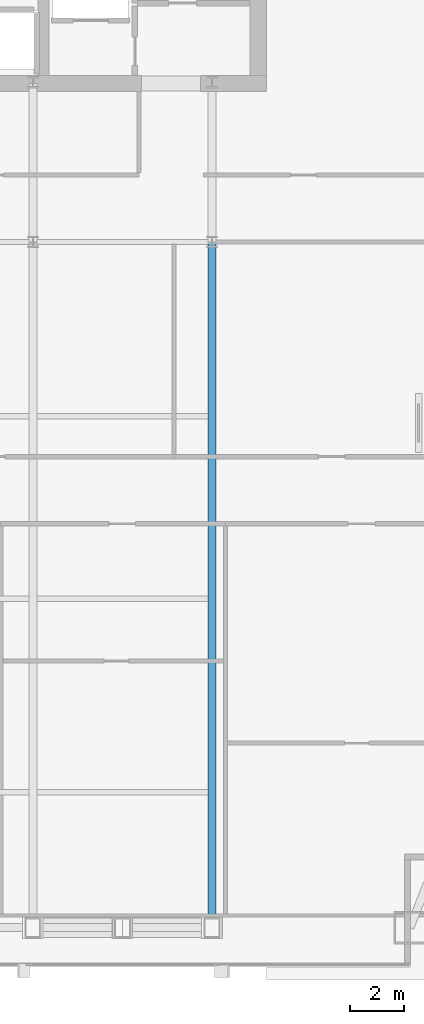
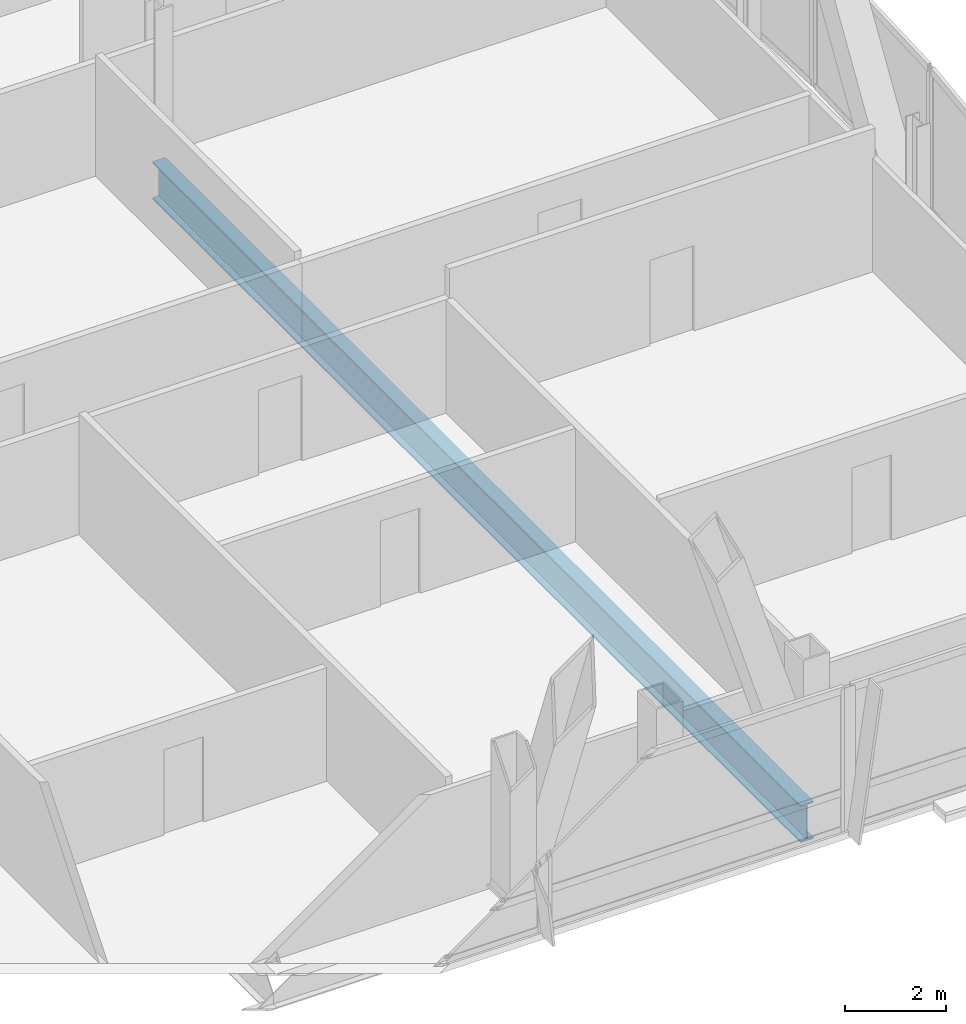
# One storey, part 15 of 32: 1 beam.
"""IFC4 building model written with IfcOpenShell, lengths in metres."""

from ifc_helpers import new_model, si_unit, direction, frame, origin, origin_2d, place, context, subcontext, project, spatial, i_section, extrude, material, material_profile, profile_set, type_object, element, save


model = new_model("IFC4")

# Units and contexts
model_context = context("Model", 3, precision=1e-05, world=origin(), true_north=direction((0.0, 1.0)))
body_context = subcontext(model_context, "Body", "Model", "MODEL_VIEW")
ifc_project = project(units=[si_unit("LENGTHUNIT", "METRE"), si_unit("AREAUNIT", "SQUARE_METRE"), si_unit("VOLUMEUNIT", "CUBIC_METRE"), si_unit("PLANEANGLEUNIT", "RADIAN"), si_unit("MASSUNIT", "GRAM", prefix="KILO")], contexts=[model_context])

# Site, building, storey
site_placement = place(None, origin())
site = spatial("IfcSite", under=ifc_project, at=site_placement, CompositionType="ELEMENT")
building_placement = place(site_placement, origin())
building = spatial("IfcBuilding", under=site, at=building_placement, Name="Khoronbel Lancet Exchange", CompositionType="ELEMENT")
storey_placement = place(building_placement, frame((0.0, 0.0, 188.60009765625)))
storey = spatial("IfcBuildingStorey", under=building, at=storey_placement, Name="L47", CompositionType="ELEMENT", Elevation=188.60009765625)

# Beam
ifc_material = material(Name="Steel S355", Category="steel")
ifc_material_profile = material_profile(ifc_material, i_section(OverallWidth=0.300048828125, OverallDepth=0.89990234375, WebThickness=0.0185546875, FlangeThickness=0.034912109375, at=origin_2d()), Name="HEB 900")
ifc_profile_set = profile_set([ifc_material_profile], Name="Steel S355")
beam_type = type_object("IfcBeamType", Name="BM-BG1", PredefinedType="BEAM", material=ifc_profile_set)
beam_placement = place(storey_placement, frame((54.675048828125, 10.14990234375, -0.610107421875), z_axis=(0.0, 1.0, 0.0), x_axis=(-1.0, 0.0, 0.0)))
element("IfcBeam", 1, at=beam_placement, inside=storey, type_object=beam_type, Name="Level L47 south primary girder GS6", PredefinedType="BEAM", context=body_context, shape_type="SweptSolid", body=[
    extrude(i_section(OverallWidth=0.300048828125, OverallDepth=0.89990234375, WebThickness=0.0185546875, FlangeThickness=0.034912109375, at=origin_2d()), origin(), (0.0, 0.0, 1.0), 25.550048828125),
])

save(model, "model.ifc")
